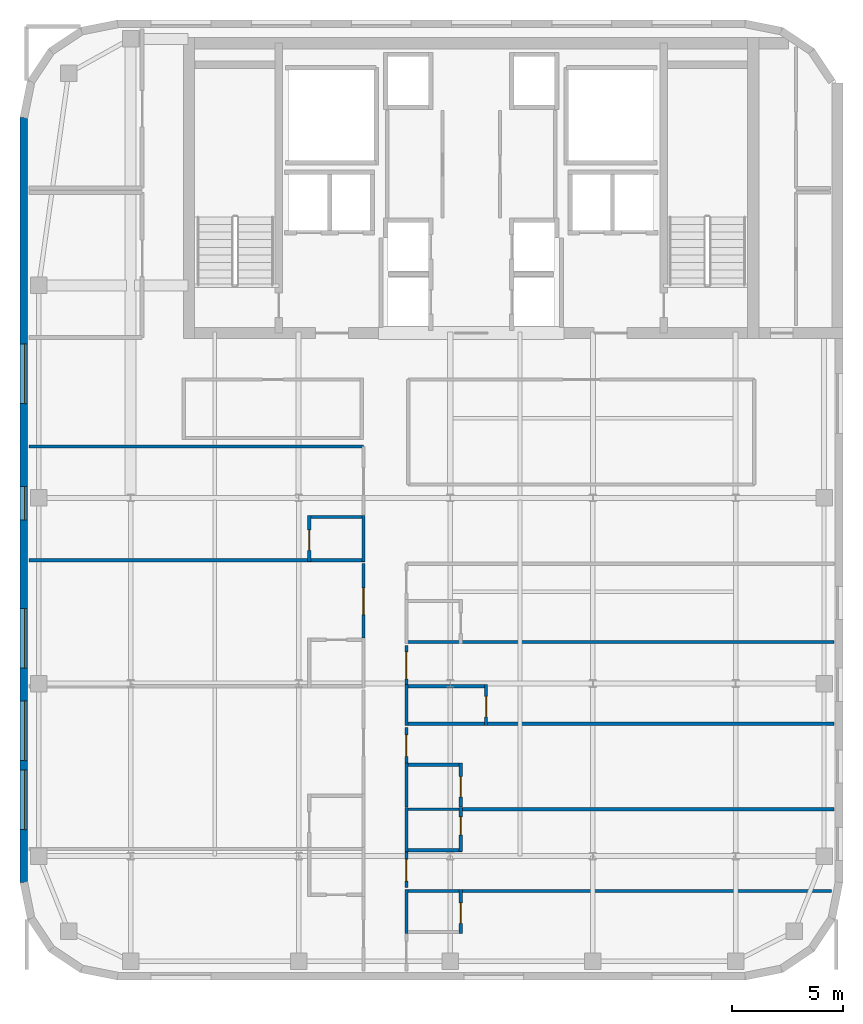
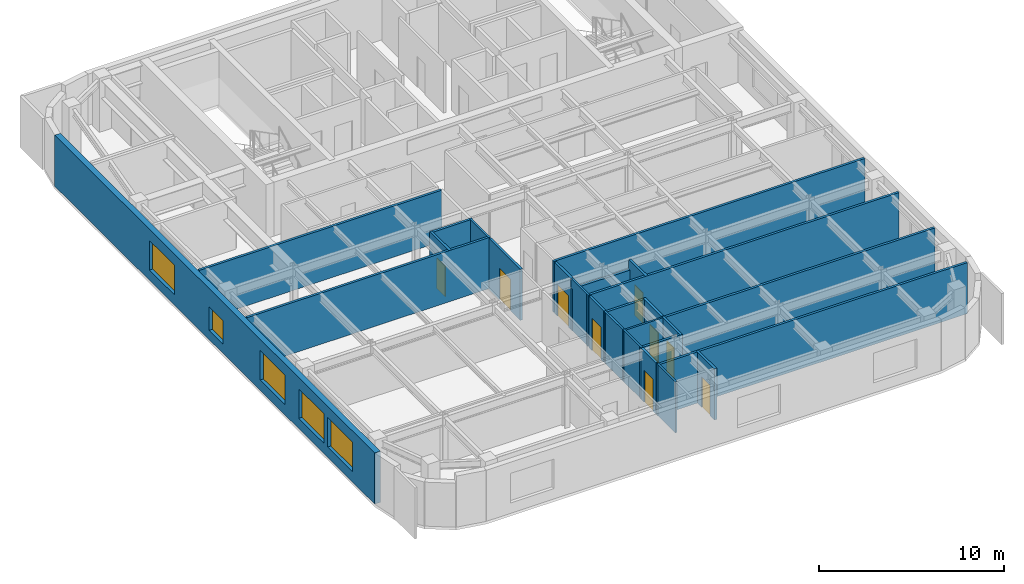
# One storey, part 4 of 9: 27 walls, 9 doors, 5 windows, 14 openings.
"""IFC4 building model written with IfcOpenShell, lengths in metres."""

from ifc_helpers import new_model, si_unit, direction, frame, frame_2d, origin, place, context, subcontext, project, spatial, rectangle, extrude, source, transform, mapped, material, layer, layer_set, type_object, type_shapes, element, fill, save


model = new_model("IFC4")

# Units and contexts
model_context = context("Model", 3, precision=1e-05, world=origin(), true_north=direction((0.0, 1.0)))
body_context = subcontext(model_context, "Body", "Model", "MODEL_VIEW")
ifc_project = project(units=[si_unit("LENGTHUNIT", "METRE"), si_unit("AREAUNIT", "SQUARE_METRE"), si_unit("VOLUMEUNIT", "CUBIC_METRE"), si_unit("PLANEANGLEUNIT", "RADIAN"), si_unit("MASSUNIT", "GRAM", prefix="KILO")], contexts=[model_context])

# Site, building, storey
site_placement = place(None, origin())
site = spatial("IfcSite", under=ifc_project, at=site_placement, CompositionType="ELEMENT")
building_placement = place(site_placement, origin())
building = spatial("IfcBuilding", under=site, at=building_placement, Name="Tolvann Quenvar Hotel", CompositionType="ELEMENT")
storey_placement = place(building_placement, frame((0.0, 0.0, 216.800048828125)))
storey = spatial("IfcBuildingStorey", under=building, at=storey_placement, Name="L57", CompositionType="ELEMENT", Elevation=216.800048828125)

# Wall, openings, windows
ifc_material_1 = material(Name="Kiln-fired red and buff architectural clay brickwork and terracotta masonry", Category="masonry")
ifc_layer_1 = layer(ifc_material_1, 0.35009765625)
ifc_layer_set_1 = layer_set([ifc_layer_1], Name="Kiln-fired red and buff architectural clay brickwork and terracotta masonry")
wall_type_1 = type_object("IfcWallType", Name="WALL_EXT_BRICK_350", PredefinedType="SOLIDWALL", material=ifc_layer_set_1)
wall_1_placement = place(storey_placement, frame((2.77490234375, 41.582763671875, 0.0), z_axis=(0.0, 0.0, 1.0), x_axis=(0.0, -1.0, 0.0)))
wall_1 = element("IfcWall", 1, at=wall_1_placement, inside=storey, type_object=wall_type_1, Name="Exterior Chicago Brick Wall L57-E19", PredefinedType="SOLIDWALL", context=body_context, shape_type="SweptSolid", body=[
    extrude(rectangle(XDim=34.565673828125, YDim=0.35009765625, at=frame_2d((17.28271484375, 0.0))), origin(), (0.0, 0.0, 1.0), 3.369873046875),
])
opening_1_placement = place(wall_1_placement, frame((10.22705078125, 0.0, 0.679931640625)))
opening_1 = element("IfcOpeningElement", 2, at=opening_1_placement, cuts=wall_1, Name="Opening W-04", PredefinedType="OPENING", context=body_context, shape_type="SweptSolid", body=[
    extrude(rectangle(XDim=2.699951171875, YDim=1.949951171875, at=frame_2d((1.35009765625, 0.97509765625))), frame((0.0, 0.18505859375, 0.0), z_axis=(0.0, -1.0, 0.0), x_axis=(1.0, 0.0, 0.0)), (0.0, 0.0, 1.0), 0.3701171875),
])
opening_2_placement = place(wall_1_placement, frame((22.18896484375, 0.0, 0.679931640625)))
opening_2 = element("IfcOpeningElement", 3, at=opening_2_placement, cuts=wall_1, Name="Opening W-04", PredefinedType="OPENING", context=body_context, shape_type="SweptSolid", body=[
    extrude(rectangle(XDim=2.699951171875, YDim=1.949951171875, at=frame_2d((1.35009765625, 0.97509765625))), frame((0.0, 0.18505859375, 0.0), z_axis=(0.0, -1.0, 0.0), x_axis=(1.0, 0.0, 0.0)), (0.0, 0.0, 1.0), 0.3701171875),
])
opening_3_placement = place(wall_1_placement, frame((26.360107421875, 0.0, 0.679931640625)))
opening_3 = element("IfcOpeningElement", 4, at=opening_3_placement, cuts=wall_1, Name="Opening W-04", PredefinedType="OPENING", context=body_context, shape_type="SweptSolid", body=[
    extrude(rectangle(XDim=2.699951171875, YDim=1.949951171875, at=frame_2d((1.35009765625, 0.97509765625))), frame((0.0, 0.18505859375, 0.0), z_axis=(0.0, -1.0, 0.0), x_axis=(1.0, 0.0, 0.0)), (0.0, 0.0, 1.0), 0.3701171875),
])
opening_4_placement = place(wall_1_placement, frame((29.47998046875, 0.0, 0.679931640625)))
opening_4 = element("IfcOpeningElement", 5, at=opening_4_placement, cuts=wall_1, Name="Opening W-04", PredefinedType="OPENING", context=body_context, shape_type="SweptSolid", body=[
    extrude(rectangle(XDim=2.699951171875, YDim=1.949951171875, at=frame_2d((1.35009765625, 0.97509765625))), frame((0.0, 0.18505859375, 0.0), z_axis=(0.0, -1.0, 0.0), x_axis=(1.0, 0.0, 0.0)), (0.0, 0.0, 1.0), 0.3701171875),
])
opening_5_placement = place(wall_1_placement, frame((16.68310546875, 0.0, 0.6201171875)))
opening_5 = element("IfcOpeningElement", 6, at=opening_5_placement, cuts=wall_1, Name="Opening W-08", PredefinedType="OPENING", context=body_context, shape_type="SweptSolid", body=[
    extrude(rectangle(XDim=1.5, YDim=1.550048828125, at=frame_2d((0.75, 0.77490234375))), frame((0.0, 0.18505859375, 0.0), z_axis=(0.0, -1.0, 0.0), x_axis=(1.0, 0.0, 0.0)), (0.0, 0.0, 1.0), 0.3701171875),
])
ifc_material_2 = material(Name="Thermally broken bronze-anodised aluminium frame with double low-E glazing", Category="aluminium")
window_type_1 = type_object("IfcWindowType", Name="WIN_COR_1500x2050", PartitioningType="SINGLE_PANEL", PredefinedType="WINDOW", material=ifc_material_2)
shared_shape_1 = source(origin(), body_context, "Body", "SweptSolid", [
    extrude(rectangle(XDim=1.5, YDim=1.550048828125, at=frame_2d((0.75, 0.77490234375))), frame((0.0, 0.090087890625, 0.0), z_axis=(0.0, -1.0, 0.0), x_axis=(1.0, 0.0, 0.0)), (0.0, 0.0, 1.0), 0.06005859375),
])
type_shapes(window_type_1, [shared_shape_1])
window_1_placement = place(opening_5_placement, origin())
window_1 = element("IfcWindow", 7, at=window_1_placement, inside=storey, type_object=window_type_1, Name="Chicago Window W-08 (EW-L57-E19-WD05)", OverallHeight=1.550048828125, OverallWidth=1.5, PartitioningType="SINGLE_PANEL", PredefinedType="WINDOW", context=body_context, shape_type="MappedRepresentation", body=[
    mapped(shared_shape_1, transform((0.0, 0.0, 0.0), x_axis=(1.0, 0.0, 0.0), y_axis=(0.0, 1.0, 0.0), z_axis=(0.0, 0.0, 1.0), scale=1.0)),
])
fill(opening_5, window_1)
window_type_2 = type_object("IfcWindowType", Name="WIN_STE_2700x2150", PartitioningType="TRIPLE_PANEL_HORIZONTAL", PredefinedType="WINDOW", material=ifc_material_2)
shared_shape_2 = source(origin(), body_context, "Body", "SweptSolid", [
    extrude(rectangle(XDim=2.699951171875, YDim=1.949951171875, at=frame_2d((1.35009765625, 0.97509765625))), frame((0.0, 0.090087890625, 0.0), z_axis=(0.0, -1.0, 0.0), x_axis=(1.0, 0.0, 0.0)), (0.0, 0.0, 1.0), 0.06005859375),
])
type_shapes(window_type_2, [shared_shape_2])
window_2_placement = place(opening_1_placement, origin())
window_2 = element("IfcWindow", 8, at=window_2_placement, inside=storey, type_object=window_type_2, Name="Chicago Window W-04 (EW-L57-E19-W01)", OverallHeight=1.949951171875, OverallWidth=2.699951171875, PartitioningType="TRIPLE_PANEL_HORIZONTAL", PredefinedType="WINDOW", context=body_context, shape_type="MappedRepresentation", body=[
    mapped(shared_shape_2, transform((0.0, 0.0, 0.0), x_axis=(1.0, 0.0, 0.0), y_axis=(0.0, 1.0, 0.0), z_axis=(0.0, 0.0, 1.0), scale=1.0)),
])
fill(opening_1, window_2)
window_3_placement = place(opening_2_placement, origin())
window_3 = element("IfcWindow", 9, at=window_3_placement, inside=storey, type_object=window_type_2, Name="Chicago Window W-04 (EW-L57-E19-W02)", OverallHeight=1.949951171875, OverallWidth=2.699951171875, PartitioningType="TRIPLE_PANEL_HORIZONTAL", PredefinedType="WINDOW", context=body_context, shape_type="MappedRepresentation", body=[
    mapped(shared_shape_2, transform((0.0, 0.0, 0.0), x_axis=(1.0, 0.0, 0.0), y_axis=(0.0, 1.0, 0.0), z_axis=(0.0, 0.0, 1.0), scale=1.0)),
])
fill(opening_2, window_3)
window_4_placement = place(opening_3_placement, origin())
window_4 = element("IfcWindow", 10, at=window_4_placement, inside=storey, type_object=window_type_2, Name="Chicago Window W-04 (EW-L57-E19-W03)", OverallHeight=1.949951171875, OverallWidth=2.699951171875, PartitioningType="TRIPLE_PANEL_HORIZONTAL", PredefinedType="WINDOW", context=body_context, shape_type="MappedRepresentation", body=[
    mapped(shared_shape_2, transform((0.0, 0.0, 0.0), x_axis=(1.0, 0.0, 0.0), y_axis=(0.0, 1.0, 0.0), z_axis=(0.0, 0.0, 1.0), scale=1.0)),
])
fill(opening_3, window_4)
window_5_placement = place(opening_4_placement, origin())
window_5 = element("IfcWindow", 11, at=window_5_placement, inside=storey, type_object=window_type_2, Name="Chicago Window W-04 (EW-L57-E19-W04)", OverallHeight=1.949951171875, OverallWidth=2.699951171875, PartitioningType="TRIPLE_PANEL_HORIZONTAL", PredefinedType="WINDOW", context=body_context, shape_type="MappedRepresentation", body=[
    mapped(shared_shape_2, transform((0.0, 0.0, 0.0), x_axis=(1.0, 0.0, 0.0), y_axis=(0.0, 1.0, 0.0), z_axis=(0.0, 0.0, 1.0), scale=1.0)),
])
fill(opening_4, window_5)

# Walls
ifc_material_3 = material(Name="Moisture-resistant acoustic plumbing wall assembly")
ifc_layer_2 = layer(ifc_material_3, 0.1201171875)
ifc_layer_set_2 = layer_set([ifc_layer_2], Name="Moisture-resistant acoustic plumbing wall assembly")
wall_type_2 = type_object("IfcWallType", Name="WALL_PART_BATH_120", PredefinedType="PLUMBINGWALL", material=ifc_layer_set_2)
wall_2_placement = place(storey_placement, frame((18.1298828125, 21.510009765625, 0.0), z_axis=(0.0, 0.0, 1.0), x_axis=(0.0, 1.0, 0.0)))
element("IfcWall", 12, at=wall_2_placement, inside=storey, type_object=wall_type_2, Name="Non-Rated Plumbing Partition PT-SPC-L57-ENS-WO04-E", PredefinedType="PLUMBINGWALL", context=body_context, shape_type="SweptSolid", body=[
    extrude(rectangle(XDim=2.093017578125, YDim=0.1201171875, at=frame_2d((1.04638671875, 0.0))), origin(), (0.0, 0.0, 1.0), 3.369873046875),
])
wall_3_placement = place(storey_placement, frame((20.070068359375, 4.699951171875, 0.0), z_axis=(0.0, 0.0, 1.0), x_axis=(0.0, 1.0, 0.0)))
element("IfcWall", 13, at=wall_3_placement, inside=storey, type_object=wall_type_2, Name="Non-Rated Plumbing Partition PT-SPC-L57-ENS-EO01-W", PredefinedType="PLUMBINGWALL", context=body_context, shape_type="SweptSolid", body=[
    extrude(rectangle(XDim=1.989990234375, YDim=0.1201171875, at=frame_2d((0.9951171875, 0.0))), origin(), (0.0, 0.0, 1.0), 3.369873046875),
])
wall_4_placement = place(storey_placement, frame((20.0, 10.320068359375, 0.0), z_axis=(0.0, 0.0, 1.0), x_axis=(1.0, 0.0, 0.0)))
element("IfcWall", 14, at=wall_4_placement, inside=storey, type_object=wall_type_2, Name="Non-Rated Plumbing Partition PT-SPC-L57-ENS-EO02-N", PredefinedType="PLUMBINGWALL", context=body_context, shape_type="SweptSolid", body=[
    extrude(rectangle(XDim=2.590087890625, YDim=0.1201171875, at=frame_2d((1.294921875, 0.0))), origin(), (0.0, 0.0, 1.0), 3.369873046875),
])
for number, where, z_axis, x_axis, name in (
    (15, (20.070068359375, 8.39990234375, 0.0), (0.0, 0.0, 1.0), (0.0, 1.0, 0.0), "Non-Rated Plumbing Partition PT-SPC-L57-ENS-EO02-W"),
    (16, (20.070068359375, 10.409912109375, 0.0), (0.0, 0.0, 1.0), (0.0, 1.0, 0.0), "Non-Rated Plumbing Partition PT-SPC-L57-ENS-EO03-W"),
):
    element("IfcWall", number, at=place(storey_placement, frame(where, z_axis=z_axis, x_axis=x_axis)), inside=storey, type_object=wall_type_2, Name=name, PredefinedType="PLUMBINGWALL", context=body_context, shape_type="SweptSolid", body=[
        extrude(rectangle(XDim=1.989990234375, YDim=0.1201171875, at=frame_2d((0.9951171875, 0.0))), origin(), (0.0, 0.0, 1.0), 3.369873046875),
    ])
wall_5_placement = place(storey_placement, frame((20.070068359375, 14.110107421875, 0.0), z_axis=(0.0, 0.0, 1.0), x_axis=(0.0, 1.0, 0.0)))
element("IfcWall", 17, at=wall_5_placement, inside=storey, type_object=wall_type_2, Name="Non-Rated Plumbing Partition PT-SPC-L57-ENS-EO04-W", PredefinedType="PLUMBINGWALL", context=body_context, shape_type="SweptSolid", body=[
    extrude(rectangle(XDim=1.8388671875, YDim=0.1201171875, at=frame_2d((0.91943359375, 0.0))), origin(), (0.0, 0.0, 1.0), 3.369873046875),
])

# Wall, opening, door
ifc_material_4 = material(Name="Acoustic twin-stud fire-rated gypsum plasterboard partition")
ifc_layer_3 = layer(ifc_material_4, 0.14990234375)
ifc_layer_set_3 = layer_set([ifc_layer_3], Name="Acoustic twin-stud fire-rated gypsum plasterboard partition")
wall_type_3 = type_object("IfcWallType", Name="WALL_PART_SUITE_150", PredefinedType="PARTITIONING", material=ifc_layer_set_3)
wall_6_placement = place(storey_placement, frame((15.679931640625, 21.510009765625, 0.0), z_axis=(0.0, 0.0, 1.0), x_axis=(0.0, 1.0, 0.0)))
wall_6 = element("IfcWall", 18, at=wall_6_placement, inside=storey, type_object=wall_type_3, Name="Interior Partition PT-SPC-L57-ENS-WO04-ENT", PredefinedType="PARTITIONING", context=body_context, shape_type="SweptSolid", body=[
    extrude(rectangle(XDim=2.093017578125, YDim=0.14990234375, at=frame_2d((1.04638671875, 0.0))), origin(), (0.0, 0.0, 1.0), 3.369873046875),
])
opening_6_placement = place(wall_6_placement, frame((0.5166015625, 0.0, 0.0)))
opening_6 = element("IfcOpeningElement", 19, at=opening_6_placement, cuts=wall_6, Name="Opening WD-01", PredefinedType="OPENING", context=body_context, shape_type="SweptSolid", body=[
    extrude(rectangle(XDim=0.919921875, YDim=2.010009765625, at=frame_2d((0.4599609375, 1.0048828125))), frame((0.0, 0.0849609375, 0.0), z_axis=(0.0, -1.0, 0.0), x_axis=(1.0, 0.0, 0.0)), (0.0, 0.0, 1.0), 0.169921875),
])
ifc_material_5 = material(Name="Solid-core American oak acoustic fire door leaf in steel frame", Category="steel")
door_type_1 = type_object("IfcDoorType", Name="DOOR_WC_920", OperationType="NOTDEFINED", PredefinedType="DOOR", material=ifc_material_5)
shared_shape_3 = source(origin(), body_context, "Body", "SweptSolid", [
    extrude(rectangle(XDim=0.919921875, YDim=2.010009765625, at=frame_2d((0.4599609375, 1.0048828125))), frame((0.0, 0.02490234375, 0.0), z_axis=(0.0, -1.0, 0.0), x_axis=(1.0, 0.0, 0.0)), (0.0, 0.0, 1.0), 0.050048828125),
])
type_shapes(door_type_1, [shared_shape_3])
door_1_placement = place(opening_6_placement, origin())
door_1 = element("IfcDoor", 20, at=door_1_placement, inside=storey, type_object=door_type_1, Name="Interior Door DOOR-SPC-L57-ENS-WO04", OperationType="SINGLE_SWING_LEFT", OverallHeight=2.010009765625, OverallWidth=0.919921875, PredefinedType="DOOR", context=body_context, shape_type="MappedRepresentation", body=[
    mapped(shared_shape_3, transform((0.0, 0.0, 0.0), x_axis=(1.0, 0.0, 0.0), y_axis=(0.0, 1.0, 0.0), z_axis=(0.0, 0.0, 1.0), scale=1.0)),
])
fill(opening_6, door_1)

# Walls
wall_7_placement = place(storey_placement, frame((3.0048828125, 21.580078125, 0.0), z_axis=(0.0, 0.0, 1.0), x_axis=(1.0, 0.0, 0.0)))
element("IfcWall", 21, at=wall_7_placement, inside=storey, type_object=wall_type_3, Name="Interior Partition PT-SPC-L57-ENS-WO04-S", PredefinedType="PARTITIONING", context=body_context, shape_type="SweptSolid", body=[
    extrude(rectangle(XDim=15.195068359375, YDim=0.14990234375, at=frame_2d((7.59765625, 0.0))), origin(), (0.0, 0.0, 1.0), 3.369873046875),
])
wall_8_placement = place(storey_placement, frame((15.610107421875, 23.532958984375, 0.0), z_axis=(0.0, 0.0, 1.0), x_axis=(1.0, 0.0, 0.0)))
element("IfcWall", 22, at=wall_8_placement, inside=storey, type_object=wall_type_3, Name="Interior Partition PT-SPC-L57-ENS-WO04-N", PredefinedType="PARTITIONING", context=body_context, shape_type="SweptSolid", body=[
    extrude(rectangle(XDim=2.58984375, YDim=0.14990234375, at=frame_2d((1.294921875, 0.0))), origin(), (0.0, 0.0, 1.0), 3.369873046875),
])

# Wall, opening, door
wall_9_placement = place(storey_placement, frame((22.52001953125, 4.699951171875, 0.0), z_axis=(0.0, 0.0, 1.0), x_axis=(0.0, 1.0, 0.0)))
wall_9 = element("IfcWall", 23, at=wall_9_placement, inside=storey, type_object=wall_type_3, Name="Interior Partition PT-SPC-L57-ENS-EO01-ENT", PredefinedType="PARTITIONING", context=body_context, shape_type="SweptSolid", body=[
    extrude(rectangle(XDim=1.989990234375, YDim=0.14990234375, at=frame_2d((0.9951171875, 0.0))), origin(), (0.0, 0.0, 1.0), 3.369873046875),
])
opening_7_placement = place(wall_9_placement, frame((0.465087890625, 0.0, 0.0)))
opening_7 = element("IfcOpeningElement", 24, at=opening_7_placement, cuts=wall_9, Name="Opening WD-01", PredefinedType="OPENING", context=body_context, shape_type="SweptSolid", body=[
    extrude(rectangle(XDim=0.919921875, YDim=2.010009765625, at=frame_2d((0.4599609375, 1.0048828125))), frame((0.0, 0.0849609375, 0.0), z_axis=(0.0, -1.0, 0.0), x_axis=(1.0, 0.0, 0.0)), (0.0, 0.0, 1.0), 0.169921875),
])
door_2_placement = place(opening_7_placement, origin())
door_2 = element("IfcDoor", 25, at=door_2_placement, inside=storey, type_object=door_type_1, Name="Interior Door DOOR-SPC-L57-ENS-EO01", OperationType="SINGLE_SWING_RIGHT", OverallHeight=2.010009765625, OverallWidth=0.919921875, PredefinedType="DOOR", context=body_context, shape_type="MappedRepresentation", body=[
    mapped(shared_shape_3, transform((0.0, 0.0, 0.0), x_axis=(1.0, 0.0, 0.0), y_axis=(0.0, 1.0, 0.0), z_axis=(0.0, 0.0, 1.0), scale=1.0)),
])
fill(opening_7, door_2)

# Wall
wall_10_placement = place(storey_placement, frame((20.0, 6.6201171875, 0.0), z_axis=(0.0, 0.0, 1.0), x_axis=(1.0, 0.0, 0.0)))
element("IfcWall", 26, at=wall_10_placement, inside=storey, type_object=wall_type_3, Name="Interior Partition PT-SPC-L57-ENS-EO01-N", PredefinedType="PARTITIONING", context=body_context, shape_type="SweptSolid", body=[
    extrude(rectangle(XDim=2.590087890625, YDim=0.14990234375, at=frame_2d((1.294921875, 0.0))), origin(), (0.0, 0.0, 1.0), 3.369873046875),
])

# Wall, opening, door
wall_11_placement = place(storey_placement, frame((22.52001953125, 8.39990234375, 0.0), z_axis=(0.0, 0.0, 1.0), x_axis=(0.0, 1.0, 0.0)))
wall_11 = element("IfcWall", 27, at=wall_11_placement, inside=storey, type_object=wall_type_3, Name="Interior Partition PT-SPC-L57-ENS-EO02-ENT", PredefinedType="PARTITIONING", context=body_context, shape_type="SweptSolid", body=[
    extrude(rectangle(XDim=1.989990234375, YDim=0.14990234375, at=frame_2d((0.9951171875, 0.0))), origin(), (0.0, 0.0, 1.0), 3.369873046875),
])
opening_8_placement = place(wall_11_placement, frame((0.760009765625, 0.0, 0.0)))
opening_8 = element("IfcOpeningElement", 28, at=opening_8_placement, cuts=wall_11, Name="Opening HD-02", PredefinedType="OPENING", context=body_context, shape_type="SweptSolid", body=[
    extrude(rectangle(XDim=0.820068359375, YDim=2.010009765625, at=frame_2d((0.41015625, 1.0048828125))), frame((0.0, 0.0849609375, 0.0), z_axis=(0.0, -1.0, 0.0), x_axis=(1.0, 0.0, 0.0)), (0.0, 0.0, 1.0), 0.169921875),
])
ifc_material_6 = material(Name="Pressed galvanised steel fire-rated door set", Category="steel")
door_type_2 = type_object("IfcDoorType", Name="DOOR_STORE_820", OperationType="NOTDEFINED", PredefinedType="DOOR", material=ifc_material_6)
shared_shape_4 = source(origin(), body_context, "Body", "SweptSolid", [
    extrude(rectangle(XDim=0.820068359375, YDim=2.010009765625, at=frame_2d((0.41015625, 1.0048828125))), frame((0.0, 0.02490234375, 0.0), z_axis=(0.0, -1.0, 0.0), x_axis=(1.0, 0.0, 0.0)), (0.0, 0.0, 1.0), 0.050048828125),
])
type_shapes(door_type_2, [shared_shape_4])
door_3_placement = place(opening_8_placement, origin())
door_3 = element("IfcDoor", 29, at=door_3_placement, inside=storey, type_object=door_type_2, Name="Interior Door DOOR-SPC-L57-ENS-EO02", OperationType="SINGLE_SWING_LEFT", OverallHeight=2.010009765625, OverallWidth=0.820068359375, PredefinedType="DOOR", context=body_context, shape_type="MappedRepresentation", body=[
    mapped(shared_shape_4, transform((0.0, 0.0, 0.0), x_axis=(1.0, 0.0, 0.0), y_axis=(0.0, 1.0, 0.0), z_axis=(0.0, 0.0, 1.0), scale=1.0)),
])
fill(opening_8, door_3)

# Wall
wall_12_placement = place(storey_placement, frame((20.0, 8.469970703125, 0.0), z_axis=(0.0, 0.0, 1.0), x_axis=(1.0, 0.0, 0.0)))
element("IfcWall", 30, at=wall_12_placement, inside=storey, type_object=wall_type_3, Name="Interior Partition PT-SPC-L57-ENS-EO02-S", PredefinedType="PARTITIONING", context=body_context, shape_type="SweptSolid", body=[
    extrude(rectangle(XDim=2.590087890625, YDim=0.14990234375, at=frame_2d((1.294921875, 0.0))), origin(), (0.0, 0.0, 1.0), 3.369873046875),
])

# Wall, opening, door
wall_13_placement = place(storey_placement, frame((22.52001953125, 10.409912109375, 0.0), z_axis=(0.0, 0.0, 1.0), x_axis=(0.0, 1.0, 0.0)))
wall_13 = element("IfcWall", 31, at=wall_13_placement, inside=storey, type_object=wall_type_3, Name="Interior Partition PT-SPC-L57-ENS-EO03-ENT", PredefinedType="PARTITIONING", context=body_context, shape_type="SweptSolid", body=[
    extrude(rectangle(XDim=1.989990234375, YDim=0.14990234375, at=frame_2d((0.9951171875, 0.0))), origin(), (0.0, 0.0, 1.0), 3.369873046875),
])
opening_9_placement = place(wall_13_placement, frame((0.465087890625, 0.0, 0.0)))
opening_9 = element("IfcOpeningElement", 32, at=opening_9_placement, cuts=wall_13, Name="Opening WD-01", PredefinedType="OPENING", context=body_context, shape_type="SweptSolid", body=[
    extrude(rectangle(XDim=0.919921875, YDim=2.010009765625, at=frame_2d((0.4599609375, 1.0048828125))), frame((0.0, 0.0849609375, 0.0), z_axis=(0.0, -1.0, 0.0), x_axis=(1.0, 0.0, 0.0)), (0.0, 0.0, 1.0), 0.169921875),
])
door_4_placement = place(opening_9_placement, origin())
door_4 = element("IfcDoor", 33, at=door_4_placement, inside=storey, type_object=door_type_1, Name="Interior Door DOOR-SPC-L57-ENS-EO03", OperationType="SINGLE_SWING_RIGHT", OverallHeight=2.010009765625, OverallWidth=0.919921875, PredefinedType="DOOR", context=body_context, shape_type="MappedRepresentation", body=[
    mapped(shared_shape_3, transform((0.0, 0.0, 0.0), x_axis=(1.0, 0.0, 0.0), y_axis=(0.0, 1.0, 0.0), z_axis=(0.0, 0.0, 1.0), scale=1.0)),
])
fill(opening_9, door_4)

# Wall
wall_14_placement = place(storey_placement, frame((20.0, 12.330078125, 0.0), z_axis=(0.0, 0.0, 1.0), x_axis=(1.0, 0.0, 0.0)))
element("IfcWall", 34, at=wall_14_placement, inside=storey, type_object=wall_type_3, Name="Interior Partition PT-SPC-L57-ENS-EO03-N", PredefinedType="PARTITIONING", context=body_context, shape_type="SweptSolid", body=[
    extrude(rectangle(XDim=2.590087890625, YDim=0.14990234375, at=frame_2d((1.294921875, 0.0))), origin(), (0.0, 0.0, 1.0), 3.369873046875),
])

# Wall, opening, door
wall_15_placement = place(storey_placement, frame((23.669921875, 14.110107421875, 0.0), z_axis=(0.0, 0.0, 1.0), x_axis=(0.0, 1.0, 0.0)))
wall_15 = element("IfcWall", 35, at=wall_15_placement, inside=storey, type_object=wall_type_3, Name="Interior Partition PT-SPC-L57-ENS-EO04-ENT", PredefinedType="PARTITIONING", context=body_context, shape_type="SweptSolid", body=[
    extrude(rectangle(XDim=1.8388671875, YDim=0.14990234375, at=frame_2d((0.91943359375, 0.0))), origin(), (0.0, 0.0, 1.0), 3.369873046875),
])
opening_10_placement = place(wall_15_placement, frame((0.389404296875, 0.0, 0.0)))
opening_10 = element("IfcOpeningElement", 36, at=opening_10_placement, cuts=wall_15, Name="Opening WD-01", PredefinedType="OPENING", context=body_context, shape_type="SweptSolid", body=[
    extrude(rectangle(XDim=0.919921875, YDim=2.010009765625, at=frame_2d((0.4599609375, 1.0048828125))), frame((0.0, 0.0849609375, 0.0), z_axis=(0.0, -1.0, 0.0), x_axis=(1.0, 0.0, 0.0)), (0.0, 0.0, 1.0), 0.169921875),
])
door_5_placement = place(opening_10_placement, origin())
door_5 = element("IfcDoor", 37, at=door_5_placement, inside=storey, type_object=door_type_1, Name="Interior Door DOOR-SPC-L57-ENS-EO04", OperationType="SINGLE_SWING_LEFT", OverallHeight=2.010009765625, OverallWidth=0.919921875, PredefinedType="DOOR", context=body_context, shape_type="MappedRepresentation", body=[
    mapped(shared_shape_3, transform((0.0, 0.0, 0.0), x_axis=(1.0, 0.0, 0.0), y_axis=(0.0, 1.0, 0.0), z_axis=(0.0, 0.0, 1.0), scale=1.0)),
])
fill(opening_10, door_5)

# Walls
wall_16_placement = place(storey_placement, frame((20.0, 14.179931640625, 0.0), z_axis=(0.0, 0.0, 1.0), x_axis=(1.0, 0.0, 0.0)))
element("IfcWall", 38, at=wall_16_placement, inside=storey, type_object=wall_type_3, Name="Interior Partition PT-SPC-L57-ENS-EO04-S", PredefinedType="PARTITIONING", context=body_context, shape_type="SweptSolid", body=[
    extrude(rectangle(XDim=19.39501953125, YDim=0.14990234375, at=frame_2d((9.697509765625, 0.0))), origin(), (0.0, 0.0, 1.0), 3.369873046875),
])
wall_17_placement = place(storey_placement, frame((20.0, 15.87890625, 0.0), z_axis=(0.0, 0.0, 1.0), x_axis=(1.0, 0.0, 0.0)))
element("IfcWall", 39, at=wall_17_placement, inside=storey, type_object=wall_type_3, Name="Interior Partition PT-SPC-L57-ENS-EO04-N", PredefinedType="PARTITIONING", context=body_context, shape_type="SweptSolid", body=[
    extrude(rectangle(XDim=3.739990234375, YDim=0.14990234375, at=frame_2d((1.8701171875, 0.0))), origin(), (0.0, 0.0, 1.0), 2.758056640625),
])
wall_18_placement = place(storey_placement, frame((20.0, 17.8798828125, 0.0), z_axis=(0.0, 0.0, 1.0), x_axis=(1.0, 0.0, 0.0)))
element("IfcWall", 40, at=wall_18_placement, inside=storey, type_object=wall_type_3, Name="Interior Partition PT-SPC-L57-ENS-EO05-S", PredefinedType="PARTITIONING", context=body_context, shape_type="SweptSolid", body=[
    extrude(rectangle(XDim=19.39501953125, YDim=0.14990234375, at=frame_2d((9.697509765625, 0.0))), origin(), (0.0, 0.0, 1.0), 3.369873046875),
])

# Wall, opening, door
wall_19_placement = place(storey_placement, frame((18.1298828125, 18.06494140625, 0.0), z_axis=(0.0, 0.0, 1.0), x_axis=(0.0, 1.0, 0.0)))
wall_19 = element("IfcWall", 41, at=wall_19_placement, inside=storey, type_object=wall_type_3, Name="Interior Partition PT-SPC-L57-RM-WO03-ENT", PredefinedType="PARTITIONING", context=body_context, shape_type="SweptSolid", body=[
    extrude(rectangle(XDim=3.35498046875, YDim=0.14990234375, at=frame_2d((1.677490234375, 0.0))), origin(), (0.0, 0.0, 1.0), 3.369873046875),
])
opening_11_placement = place(wall_19_placement, frame((1.047607421875, 0.0, 0.0)))
opening_11 = element("IfcOpeningElement", 42, at=opening_11_placement, cuts=wall_19, Name="Opening SD-02", PredefinedType="OPENING", context=body_context, shape_type="SweptSolid", body=[
    extrude(rectangle(XDim=1.219970703125, YDim=2.080078125, at=frame_2d((0.60986328125, 1.0400390625))), frame((0.0, 0.0849609375, 0.0), z_axis=(0.0, -1.0, 0.0), x_axis=(1.0, 0.0, 0.0)), (0.0, 0.0, 1.0), 0.169921875),
])
door_type_3 = type_object("IfcDoorType", Name="DOOR_VIP_1220", OperationType="NOTDEFINED", PredefinedType="DOOR", material=ifc_material_5)
shared_shape_5 = source(origin(), body_context, "Body", "SweptSolid", [
    extrude(rectangle(XDim=1.219970703125, YDim=2.080078125, at=frame_2d((0.60986328125, 1.0400390625))), frame((0.0, 0.02490234375, 0.0), z_axis=(0.0, -1.0, 0.0), x_axis=(1.0, 0.0, 0.0)), (0.0, 0.0, 1.0), 0.050048828125),
])
type_shapes(door_type_3, [shared_shape_5])
door_6_placement = place(opening_11_placement, origin())
door_6 = element("IfcDoor", 43, at=door_6_placement, inside=storey, type_object=door_type_3, Name="Interior Door DOOR-SPC-L57-RM-WO03", OperationType="SINGLE_SWING_LEFT", OverallHeight=2.080078125, OverallWidth=1.219970703125, PredefinedType="DOOR", context=body_context, shape_type="MappedRepresentation", body=[
    mapped(shared_shape_5, transform((0.0, 0.0, 0.0), x_axis=(1.0, 0.0, 0.0), y_axis=(0.0, 1.0, 0.0), z_axis=(0.0, 0.0, 1.0), scale=1.0)),
])
fill(opening_11, door_6)

# Walls
wall_20_placement = place(storey_placement, frame((3.0048828125, 26.719970703125, 0.0), z_axis=(0.0, 0.0, 1.0), x_axis=(1.0, 0.0, 0.0)))
element("IfcWall", 44, at=wall_20_placement, inside=storey, type_object=wall_type_3, Name="Interior Partition PT-SPC-L57-RM-WO04-E5", PredefinedType="PARTITIONING", context=body_context, shape_type="SweptSolid", body=[
    extrude(rectangle(XDim=15.125, YDim=0.14990234375, at=frame_2d((7.5625, 0.0))), origin(), (0.0, 0.0, 1.0), 3.369873046875),
])
wall_21_placement = place(storey_placement, frame((22.5400390625, 6.6201171875, 0.0), z_axis=(0.0, 0.0, 1.0), x_axis=(1.0, 0.0, 0.0)))
element("IfcWall", 45, at=wall_21_placement, inside=storey, type_object=wall_type_3, Name="Interior Partition PT-SPC-L57-RM-EO01-E3", PredefinedType="PARTITIONING", context=body_context, shape_type="SweptSolid", body=[
    extrude(rectangle(XDim=16.748046875, YDim=0.14990234375, at=frame_2d((8.3740234375, 0.0))), origin(), (0.0, 0.0, 1.0), 3.369873046875),
])

# Wall, opening, door
wall_22_placement = place(storey_placement, frame((20.070068359375, 6.780029296875, 0.0), z_axis=(0.0, 0.0, 1.0), x_axis=(0.0, 1.0, 0.0)))
wall_22 = element("IfcWall", 46, at=wall_22_placement, inside=storey, type_object=wall_type_3, Name="Interior Partition PT-SPC-L57-RM-EO02-ENT", PredefinedType="PARTITIONING", context=body_context, shape_type="SweptSolid", body=[
    extrude(rectangle(XDim=1.60986328125, YDim=0.14990234375, at=frame_2d((0.804931640625, 0.0))), origin(), (0.0, 0.0, 1.0), 3.369873046875),
])
opening_12_placement = place(wall_22_placement, frame((0.294921875, 0.0, 0.0)))
opening_12 = element("IfcOpeningElement", 47, at=opening_12_placement, cuts=wall_22, Name="Opening SD-01", PredefinedType="OPENING", context=body_context, shape_type="SweptSolid", body=[
    extrude(rectangle(XDim=0.97998046875, YDim=2.1201171875, at=frame_2d((0.489990234375, 1.06005859375))), frame((0.0, 0.0849609375, 0.0), z_axis=(0.0, -1.0, 0.0), x_axis=(1.0, 0.0, 0.0)), (0.0, 0.0, 1.0), 0.169921875),
])
door_type_4 = type_object("IfcDoorType", Name="DOOR_SUITE_980", OperationType="NOTDEFINED", PredefinedType="DOOR", material=ifc_material_5)
shared_shape_6 = source(origin(), body_context, "Body", "SweptSolid", [
    extrude(rectangle(XDim=0.97998046875, YDim=2.1201171875, at=frame_2d((0.489990234375, 1.06005859375))), frame((0.0, 0.02490234375, 0.0), z_axis=(0.0, -1.0, 0.0), x_axis=(1.0, 0.0, 0.0)), (0.0, 0.0, 1.0), 0.050048828125),
])
type_shapes(door_type_4, [shared_shape_6])
door_7_placement = place(opening_12_placement, origin())
door_7 = element("IfcDoor", 48, at=door_7_placement, inside=storey, type_object=door_type_4, Name="Interior Door DOOR-SPC-L57-RM-EO02", OperationType="SINGLE_SWING_RIGHT", OverallHeight=2.1201171875, OverallWidth=0.97998046875, PredefinedType="DOOR", context=body_context, shape_type="MappedRepresentation", body=[
    mapped(shared_shape_6, transform((0.0, 0.0, 0.0), x_axis=(1.0, 0.0, 0.0), y_axis=(0.0, 1.0, 0.0), z_axis=(0.0, 0.0, 1.0), scale=1.0)),
])
fill(opening_12, door_7)

# Wall
wall_23_placement = place(storey_placement, frame((22.5400390625, 10.320068359375, 0.0), z_axis=(0.0, 0.0, 1.0), x_axis=(1.0, 0.0, 0.0)))
element("IfcWall", 49, at=wall_23_placement, inside=storey, type_object=wall_type_3, Name="Interior Partition PT-SPC-L57-RM-EO02-E3", PredefinedType="PARTITIONING", context=body_context, shape_type="SweptSolid", body=[
    extrude(rectangle(XDim=16.85498046875, YDim=0.14990234375, at=frame_2d((8.427490234375, 0.0))), origin(), (0.0, 0.0, 1.0), 3.369873046875),
])

# Wall, opening, door
wall_24_placement = place(storey_placement, frame((20.070068359375, 12.409912109375, 0.0), z_axis=(0.0, 0.0, 1.0), x_axis=(0.0, 1.0, 0.0)))
wall_24 = element("IfcWall", 50, at=wall_24_placement, inside=storey, type_object=wall_type_3, Name="Interior Partition PT-SPC-L57-RM-EO03-ENT", PredefinedType="PARTITIONING", context=body_context, shape_type="SweptSolid", body=[
    extrude(rectangle(XDim=1.610107421875, YDim=0.14990234375, at=frame_2d((0.80517578125, 0.0))), origin(), (0.0, 0.0, 1.0), 3.369873046875),
])
opening_13_placement = place(wall_24_placement, frame((0.294921875, 0.0, 0.0)))
opening_13 = element("IfcOpeningElement", 51, at=opening_13_placement, cuts=wall_24, Name="Opening SD-01", PredefinedType="OPENING", context=body_context, shape_type="SweptSolid", body=[
    extrude(rectangle(XDim=0.97998046875, YDim=2.1201171875, at=frame_2d((0.489990234375, 1.06005859375))), frame((0.0, 0.0849609375, 0.0), z_axis=(0.0, -1.0, 0.0), x_axis=(1.0, 0.0, 0.0)), (0.0, 0.0, 1.0), 0.169921875),
])
door_8_placement = place(opening_13_placement, origin())
door_8 = element("IfcDoor", 52, at=door_8_placement, inside=storey, type_object=door_type_4, Name="Interior Door DOOR-SPC-L57-RM-EO03", OperationType="SINGLE_SWING_LEFT", OverallHeight=2.1201171875, OverallWidth=0.97998046875, PredefinedType="DOOR", context=body_context, shape_type="MappedRepresentation", body=[
    mapped(shared_shape_6, transform((0.0, 0.0, 0.0), x_axis=(1.0, 0.0, 0.0), y_axis=(0.0, 1.0, 0.0), z_axis=(0.0, 0.0, 1.0), scale=1.0)),
])
fill(opening_13, door_8)

wall_25_placement = place(storey_placement, frame((20.070068359375, 15.958984375, 0.0), z_axis=(0.0, 0.0, 1.0), x_axis=(0.0, 1.0, 0.0)))
wall_25 = element("IfcWall", 53, at=wall_25_placement, inside=storey, type_object=wall_type_3, Name="Interior Partition PT-SPC-L57-RM-EO04-ENT", PredefinedType="PARTITIONING", context=body_context, shape_type="SweptSolid", body=[
    extrude(rectangle(XDim=1.760986328125, YDim=0.14990234375, at=frame_2d((0.88037109375, 0.0))), origin(), (0.0, 0.0, 1.0), 3.369873046875),
])
opening_14_placement = place(wall_25_placement, frame((0.25048828125, 0.0, 0.0)))
opening_14 = element("IfcOpeningElement", 54, at=opening_14_placement, cuts=wall_25, Name="Opening SD-02", PredefinedType="OPENING", context=body_context, shape_type="SweptSolid", body=[
    extrude(rectangle(XDim=1.219970703125, YDim=2.080078125, at=frame_2d((0.60986328125, 1.0400390625))), frame((0.0, 0.0849609375, 0.0), z_axis=(0.0, -1.0, 0.0), x_axis=(1.0, 0.0, 0.0)), (0.0, 0.0, 1.0), 0.169921875),
])
door_9_placement = place(opening_14_placement, origin())
door_9 = element("IfcDoor", 55, at=door_9_placement, inside=storey, type_object=door_type_3, Name="Interior Door DOOR-SPC-L57-RM-EO04", OperationType="SINGLE_SWING_RIGHT", OverallHeight=2.080078125, OverallWidth=1.219970703125, PredefinedType="DOOR", context=body_context, shape_type="MappedRepresentation", body=[
    mapped(shared_shape_5, transform((0.0, 0.0, 0.0), x_axis=(1.0, 0.0, 0.0), y_axis=(0.0, 1.0, 0.0), z_axis=(0.0, 0.0, 1.0), scale=1.0)),
])
fill(opening_14, door_9)

save(model, "model.ifc")
